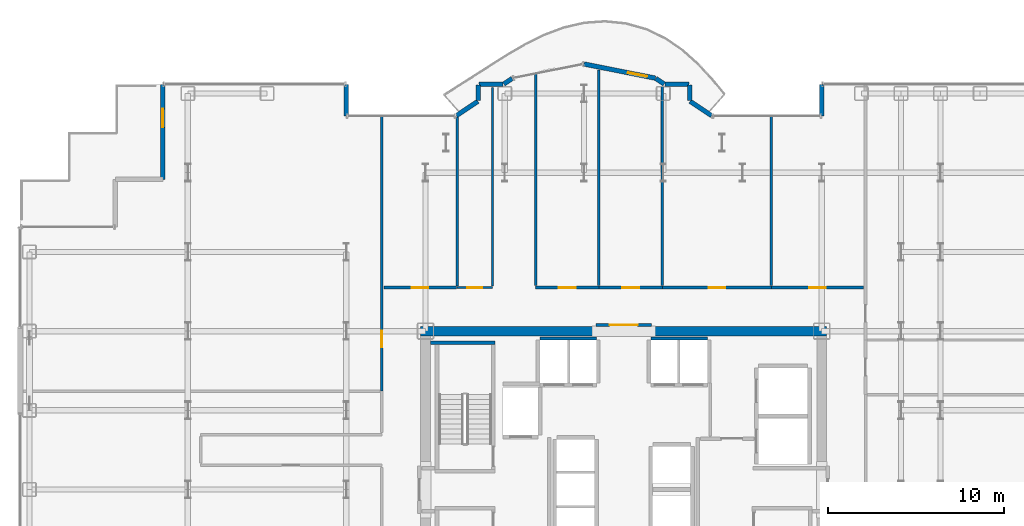
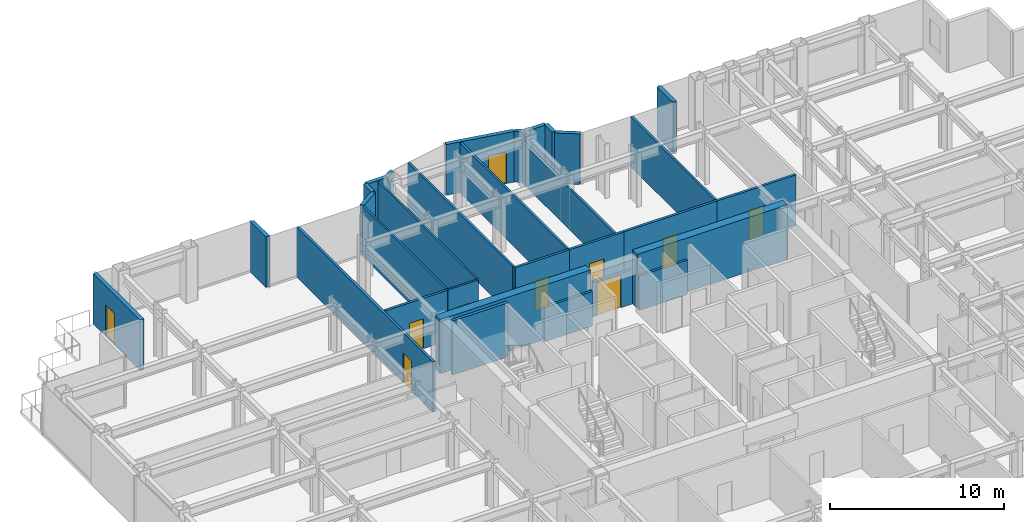
# One storey, part 26 of 29: 31 walls, 10 doors, 10 openings.
"""IFC4 building model written with IfcOpenShell, lengths in metres."""

from ifc_helpers import new_model, si_unit, direction, frame, frame_2d, origin, place, context, subcontext, project, spatial, rectangle, extrude, source, transform, mapped, material, layer, layer_set, type_object, element, fill, save


model = new_model("IFC4")

# Units and contexts
model_context = context("Model", 3, precision=1e-05, world=origin(), true_north=direction((0.0, 1.0)))
body_context = subcontext(model_context, "Body", "Model", "MODEL_VIEW")
ifc_project = project(units=[si_unit("LENGTHUNIT", "METRE"), si_unit("AREAUNIT", "SQUARE_METRE"), si_unit("VOLUMEUNIT", "CUBIC_METRE"), si_unit("PLANEANGLEUNIT", "RADIAN"), si_unit("MASSUNIT", "GRAM", prefix="KILO")], contexts=[model_context])

# Site, building, storey
site_placement = place(None, origin())
site = spatial("IfcSite", under=ifc_project, at=site_placement, CompositionType="ELEMENT")
building_placement = place(site_placement, origin())
building = spatial("IfcBuilding", under=site, at=building_placement, Name="Nefas-Gora Pilgrimage Tower", CompositionType="ELEMENT")
storey_placement = place(building_placement, frame((0.0, 0.0, 125.0)))
storey = spatial("IfcBuildingStorey", under=building, at=storey_placement, Name="L30", CompositionType="ELEMENT", Elevation=125.0)

# Walls
ifc_material_1 = material(Name="Concrete C60/75", Category="concrete")
ifc_layer_1 = layer(ifc_material_1, 0.550048828125)
ifc_layer_set_1 = layer_set([ifc_layer_1], Name="Concrete C60/75")
wall_type_1 = type_object("IfcWallType", Name="SW-CORE-550", PredefinedType="SHEAR", material=ifc_layer_set_1)
shared_shape_1 = source(origin(), body_context, "Body", "SweptSolid", [
    extrude(rectangle(XDim=9.974853515625, YDim=0.550048828125, at=frame_2d((4.9873046875, 0.0))), origin(), (0.0, 0.0, 1.0), 3.800048828125),
])
for number, where, z_axis, x_axis, name in (
    (1, (-11.52490234375, 9.0, 0.0), (0.0, 0.0, 1.0), (1.0, 0.0, 0.0), "L30 Core Shear Wall N-West"),
    (2, (1.550048828125, 9.0, 0.0), (0.0, 0.0, 1.0), (1.0, 0.0, 0.0), "L30 Core Shear Wall N-East"),
):
    element("IfcWall", number, at=place(storey_placement, frame(where, z_axis=z_axis, x_axis=x_axis)), inside=storey, type_object=wall_type_1, Name=name, PredefinedType="SHEAR", context=body_context, shape_type="MappedRepresentation", body=[
        mapped(shared_shape_1, transform((0.0, 0.0, 0.0), x_axis=(1.0, 0.0, 0.0), y_axis=(0.0, 1.0, 0.0), z_axis=(0.0, 0.0, 1.0), scale=1.0)),
    ])
ifc_material_2 = material(Name="Precast concrete C40/50", Category="concrete")
ifc_layer_2 = layer(ifc_material_2, 0.260009765625)
ifc_layer_set_2 = layer_set([ifc_layer_2], Name="Precast concrete C40/50")
wall_type_2 = type_object("IfcWallType", Name="EW-PORTAL-260", PredefinedType="SOLIDWALL", material=ifc_layer_set_2)
shared_shape_2 = source(origin(), body_context, "Body", "SweptSolid", [
    extrude(rectangle(XDim=1.800048828125, YDim=0.260009765625, at=frame_2d((0.89990234375, 0.0))), origin(), (0.0, 0.0, 1.0), 3.550048828125),
])
for number, where, z_axis, x_axis, name in (
    (3, (11.25, 23.02001953125, 0.0), (0.0, 0.0, 1.0), (0.0, -1.0, 0.0), "L30 Lobe Shoulder Precast Spandrel Pier 14"),
    (4, (-15.75, 21.219970703125, 0.0), (0.0, 0.0, 1.0), (0.0, 1.0, 0.0), "L30 Lobe Shoulder Precast Spandrel Pier 24"),
):
    element("IfcWall", number, at=place(storey_placement, frame(where, z_axis=z_axis, x_axis=x_axis)), inside=storey, type_object=wall_type_2, Name=name, PredefinedType="SOLIDWALL", context=body_context, shape_type="MappedRepresentation", body=[
        mapped(shared_shape_2, transform((0.0, 0.0, 0.0), x_axis=(1.0, 0.0, 0.0), y_axis=(0.0, 1.0, 0.0), z_axis=(0.0, 0.0, 1.0), scale=1.0)),
    ])
shared_shape_3 = source(origin(), body_context, "Body", "SweptSolid", [
    extrude(rectangle(XDim=1.468994140625, YDim=0.260009765625, at=frame_2d((0.734375, 0.0))), origin(), (0.0, 0.0, 1.0), 3.550048828125),
])
for number, where, z_axis, x_axis, name in (
    (5, (4.99462890625, 21.235595703125, 0.0), (0.0, 0.0, 1.0), (-0.831461760506, 0.555581983884, 0.0), "L30 Lobe Shoulder Precast Spandrel Pier 15"),
    (6, (-8.273193359375, 22.0517578125, 0.0), (0.0, 0.0, 1.0), (-0.831461760506, -0.555581983884, 0.0), "L30 Lobe Shoulder Precast Spandrel Pier 23"),
):
    element("IfcWall", number, at=place(storey_placement, frame(where, z_axis=z_axis, x_axis=x_axis)), inside=storey, type_object=wall_type_2, Name=name, PredefinedType="SOLIDWALL", context=body_context, shape_type="MappedRepresentation", body=[
        mapped(shared_shape_3, transform((0.0, 0.0, 0.0), x_axis=(1.0, 0.0, 0.0), y_axis=(0.0, 1.0, 0.0), z_axis=(0.0, 0.0, 1.0), scale=1.0)),
    ])
shared_shape_4 = source(origin(), body_context, "Body", "SweptSolid", [
    extrude(rectangle(XDim=0.896728515625, YDim=0.260009765625, at=frame_2d((0.4482421875, 0.0))), origin(), (0.0, 0.0, 1.0), 3.550048828125),
])
for number, where, z_axis, x_axis, name in (
    (7, (3.75, 22.09521484375, 0.0), (0.0, 0.0, 1.0), (0.0, 1.0, 0.0), "L30 Lobe Shoulder Precast Spandrel Pier 16"),
    (8, (-8.25, 22.991943359375, 0.0), (0.0, 0.0, 1.0), (0.0, -1.0, 0.0), "L30 Lobe Shoulder Precast Spandrel Pier 22"),
):
    element("IfcWall", number, at=place(storey_placement, frame(where, z_axis=z_axis, x_axis=x_axis)), inside=storey, type_object=wall_type_2, Name=name, PredefinedType="SOLIDWALL", context=body_context, shape_type="MappedRepresentation", body=[
        mapped(shared_shape_4, transform((0.0, 0.0, 0.0), x_axis=(1.0, 0.0, 0.0), y_axis=(0.0, 1.0, 0.0), z_axis=(0.0, 0.0, 1.0), scale=1.0)),
    ])
shared_shape_5 = source(origin(), body_context, "Body", "SweptSolid", [
    extrude(rectangle(XDim=1.369873046875, YDim=0.260009765625, at=frame_2d((0.68505859375, 0.0))), origin(), (0.0, 0.0, 1.0), 3.550048828125),
])
for number, where, z_axis, x_axis, name in (
    (9, (3.721923828125, 23.02001953125, 0.0), (0.0, 0.0, 1.0), (-1.0, 0.0, 0.0), "L30 Lobe Shoulder Precast Spandrel Pier 17"),
    (10, (-6.85205078125, 23.02001953125, 0.0), (0.0, 0.0, 1.0), (-1.0, 0.0, 0.0), "L30 Lobe Shoulder Precast Spandrel Pier 21"),
):
    element("IfcWall", number, at=place(storey_placement, frame(where, z_axis=z_axis, x_axis=x_axis)), inside=storey, type_object=wall_type_2, Name=name, PredefinedType="SOLIDWALL", context=body_context, shape_type="MappedRepresentation", body=[
        mapped(shared_shape_5, transform((0.0, 0.0, 0.0), x_axis=(1.0, 0.0, 0.0), y_axis=(0.0, 1.0, 0.0), z_axis=(0.0, 0.0, 1.0), scale=1.0)),
    ])
shared_shape_6 = source(origin(), body_context, "Body", "SweptSolid", [
    extrude(rectangle(XDim=0.5654296875, YDim=0.260009765625, at=frame_2d((0.28271484375, 0.0))), origin(), (0.0, 0.0, 1.0), 3.550048828125),
])
for number, where, z_axis, x_axis, name in (
    (11, (2.30078125, 23.03564453125, 0.0), (0.0, 0.0, 1.0), (-0.831651492666, 0.555297933317, 0.0), "L30 Lobe Shoulder Precast Spandrel Pier 18"),
    (12, (-6.33056640625, 23.349609375, 0.0), (0.0, 0.0, 1.0), (-0.831651492666, -0.555297933317, 0.0), "L30 Lobe Shoulder Precast Spandrel Pier 20"),
):
    element("IfcWall", number, at=place(storey_placement, frame(where, z_axis=z_axis, x_axis=x_axis)), inside=storey, type_object=wall_type_2, Name=name, PredefinedType="SOLIDWALL", context=body_context, shape_type="MappedRepresentation", body=[
        mapped(shared_shape_6, transform((0.0, 0.0, 0.0), x_axis=(1.0, 0.0, 0.0), y_axis=(0.0, 1.0, 0.0), z_axis=(0.0, 0.0, 1.0), scale=1.0)),
    ])

# Wall, opening, door
shared_shape_7 = source(origin(), body_context, "Body", "SweptSolid", [
    extrude(rectangle(XDim=4.136962890625, YDim=0.260009765625, at=frame_2d((2.068359375, 0.0))), origin(), (0.0, 0.0, 1.0), 3.550048828125),
])
wall_1_placement = place(storey_placement, frame((1.807373046875, 23.365234375, 0.0), z_axis=(0.0, 0.0, 1.0), x_axis=(-0.980782170794, 0.195105954428, 0.0)))
wall_1 = element("IfcWall", 13, at=wall_1_placement, inside=storey, type_object=wall_type_2, Name="L30 Insulated Terrace Portal Wall 19", PredefinedType="SOLIDWALL", context=body_context, shape_type="MappedRepresentation", body=[
    mapped(shared_shape_7, transform((0.0, 0.0, 0.0), x_axis=(1.0, 0.0, 0.0), y_axis=(0.0, 1.0, 0.0), z_axis=(0.0, 0.0, 1.0), scale=1.0)),
])
opening_1_placement = place(wall_1_placement, frame((0.48779296875, 0.0, 0.0)))
opening_1 = element("IfcOpeningElement", 14, at=opening_1_placement, cuts=wall_1, Name="Opening ED-B1", PredefinedType="OPENING", context=body_context, shape_type="SweptSolid", body=[
    extrude(rectangle(XDim=1.10009765625, YDim=2.199951171875, at=frame_2d((0.550048828125, 1.10009765625))), frame((0.0, 0.139892578125, 0.0), z_axis=(0.0, -1.0, 0.0), x_axis=(1.0, 0.0, 0.0)), (0.0, 0.0, 1.0), 0.280029296875),
])
ifc_material_3 = material(Name="Thermally broken glazed aluminium balcony door", Category="aluminium")
door_type_1 = type_object("IfcDoorType", Name="DR-EXT-BAL-1100", OperationType="NOTDEFINED", PredefinedType="DOOR", material=ifc_material_3)
shared_shape_8 = source(origin(), body_context, "Body", "SweptSolid", [
    extrude(rectangle(XDim=1.10009765625, YDim=2.199951171875, at=frame_2d((0.550048828125, 1.10009765625))), frame((0.0, 0.02490234375, 0.0), z_axis=(0.0, -1.0, 0.0), x_axis=(1.0, 0.0, 0.0)), (0.0, 0.0, 1.0), 0.050048828125),
])
door_1_placement = place(opening_1_placement, origin())
door_1 = element("IfcDoor", 15, at=door_1_placement, inside=storey, type_object=door_type_1, Name="L30 Exterior Door (L30 N Lobe Wave Balcony)", OperationType="SINGLE_SWING_RIGHT", OverallHeight=2.199951171875, OverallWidth=1.10009765625, PredefinedType="DOOR", context=body_context, shape_type="MappedRepresentation", body=[
    mapped(shared_shape_8, transform((0.0, 0.0, 0.0), x_axis=(1.0, 0.0, 0.0), y_axis=(0.0, 1.0, 0.0), z_axis=(0.0, 0.0, 1.0), scale=1.0)),
])
fill(opening_1, door_1)

shared_shape_9 = source(origin(), body_context, "Body", "SweptSolid", [
    extrude(rectangle(XDim=5.39990234375, YDim=0.260009765625, at=frame_2d((2.699951171875, 0.0))), origin(), (0.0, 0.0, 1.0), 3.550048828125),
])
wall_2_placement = place(storey_placement, frame((-26.169921875, 23.02001953125, 0.0), z_axis=(0.0, 0.0, 1.0), x_axis=(0.0, -1.0, 0.0)))
wall_2 = element("IfcWall", 16, at=wall_2_placement, inside=storey, type_object=wall_type_2, Name="L30 Insulated Terrace Portal Wall 25", PredefinedType="SOLIDWALL", context=body_context, shape_type="MappedRepresentation", body=[
    mapped(shared_shape_9, transform((0.0, 0.0, 0.0), x_axis=(1.0, 0.0, 0.0), y_axis=(0.0, 1.0, 0.0), z_axis=(0.0, 0.0, 1.0), scale=1.0)),
])
opening_2_placement = place(wall_2_placement, frame((1.39697265625, 0.0, 0.0)))
opening_2 = element("IfcOpeningElement", 17, at=opening_2_placement, cuts=wall_2, Name="Opening ED-T1", PredefinedType="OPENING", context=body_context, shape_type="SweptSolid", body=[
    extrude(rectangle(XDim=1.050048828125, YDim=2.199951171875, at=frame_2d((0.52490234375, 1.10009765625))), frame((0.0, 0.139892578125, 0.0), z_axis=(0.0, -1.0, 0.0), x_axis=(1.0, 0.0, 0.0)), (0.0, 0.0, 1.0), 0.280029296875),
])
ifc_material_4 = material(Name="Thermally broken glazed aluminium terrace door", Category="aluminium")
door_type_2 = type_object("IfcDoorType", Name="DR-EXT-TER-1050", OperationType="NOTDEFINED", PredefinedType="DOOR", material=ifc_material_4)
shared_shape_10 = source(origin(), body_context, "Body", "SweptSolid", [
    extrude(rectangle(XDim=1.050048828125, YDim=2.199951171875, at=frame_2d((0.52490234375, 1.10009765625))), frame((0.0, 0.02490234375, 0.0), z_axis=(0.0, -1.0, 0.0), x_axis=(1.0, 0.0, 0.0)), (0.0, 0.0, 1.0), 0.050048828125),
])
door_2_placement = place(opening_2_placement, origin())
door_2 = element("IfcDoor", 18, at=door_2_placement, inside=storey, type_object=door_type_2, Name="L30 Exterior Door (L30 Outdoor Terrace TER-SP-NW)", OperationType="SINGLE_SWING_LEFT", OverallHeight=2.199951171875, OverallWidth=1.050048828125, PredefinedType="DOOR", context=body_context, shape_type="MappedRepresentation", body=[
    mapped(shared_shape_10, transform((0.0, 0.0, 0.0), x_axis=(1.0, 0.0, 0.0), y_axis=(0.0, 1.0, 0.0), z_axis=(0.0, 0.0, 1.0), scale=1.0)),
])
fill(opening_2, door_2)

# Walls
ifc_material_5 = material(Name="Concrete C45/55", Category="concrete")
ifc_layer_3 = layer(ifc_material_5, 0.199951171875)
ifc_layer_set_3 = layer_set([ifc_layer_3], Name="Concrete C45/55")
wall_type_3 = type_object("IfcWallType", Name="IW-STAIR-200", PredefinedType="SOLIDWALL", material=ifc_layer_set_3)
shared_shape_11 = source(origin(), body_context, "Body", "SweptSolid", [
    extrude(rectangle(XDim=3.679931640625, YDim=0.199951171875, at=frame_2d((1.83984375, 0.0))), origin(), (0.0, 0.0, 1.0), 3.800048828125),
])
wall_3_placement = place(storey_placement, frame((-7.300048828125, 8.35009765625, 0.0), z_axis=(0.0, 0.0, 1.0), x_axis=(-1.0, 0.0, 0.0)))
element("IfcWall", 19, at=wall_3_placement, inside=storey, type_object=wall_type_3, Name="L30 Stairwell Shear Wall ST-01-far", PredefinedType="SOLIDWALL", context=body_context, shape_type="MappedRepresentation", body=[
    mapped(shared_shape_11, transform((0.0, 0.0, 0.0), x_axis=(1.0, 0.0, 0.0), y_axis=(0.0, 1.0, 0.0), z_axis=(0.0, 0.0, 1.0), scale=1.0)),
])
ifc_material_6 = material(Name="Gypsum acoustic stud partition")
ifc_layer_4 = layer(ifc_material_6, 0.159912109375)
ifc_layer_set_4 = layer_set([ifc_layer_4], Name="Gypsum acoustic stud partition")
wall_type_4 = type_object("IfcWallType", Name="IW-CORR-160", PredefinedType="PARTITIONING", material=ifc_layer_set_4)
shared_shape_12 = source(origin(), body_context, "Body", "SweptSolid", [
    extrude(rectangle(XDim=3.199951171875, YDim=0.159912109375, at=frame_2d((1.60009765625, 0.0))), origin(), (0.0, 0.0, 1.0), 2.425048828125),
])
for number, where, z_axis, x_axis, name in (
    (20, (-1.550048828125, 8.580078125, 0.0), (0.0, 0.0, 1.0), (-1.0, 0.0, 0.0), "L30 Hoistway Wall PL1-W-N"),
    (21, (4.75, 8.580078125, 0.0), (0.0, 0.0, 1.0), (-1.0, 0.0, 0.0), "L30 Hoistway Wall PL1-E-N"),
):
    element("IfcWall", number, at=place(storey_placement, frame(where, z_axis=z_axis, x_axis=x_axis)), inside=storey, type_object=wall_type_4, Name=name, PredefinedType="PARTITIONING", context=body_context, shape_type="MappedRepresentation", body=[
        mapped(shared_shape_12, transform((0.0, 0.0, 0.0), x_axis=(1.0, 0.0, 0.0), y_axis=(0.0, 1.0, 0.0), z_axis=(0.0, 0.0, 1.0), scale=1.0)),
    ])

# Wall, opening, door
ifc_material_7 = material(Name="Moisture-resistant fire-rated gypsum partition")
ifc_layer_5 = layer(ifc_material_7, 0.1201171875)
ifc_layer_set_5 = layer_set([ifc_layer_5], Name="Moisture-resistant fire-rated gypsum partition")
wall_type_5 = type_object("IfcWallType", Name="IW-WET-120", PredefinedType="PLUMBINGWALL", material=ifc_layer_set_5)
shared_shape_13 = source(origin(), body_context, "Body", "SweptSolid", [
    extrude(rectangle(XDim=2.02001953125, YDim=0.1201171875, at=frame_2d((1.010009765625, 0.0))), origin(), (0.0, 0.0, 1.0), 3.534912109375),
])
wall_4_placement = place(storey_placement, frame((-9.4599609375, 11.469970703125, 0.0), z_axis=(0.0, 0.0, 1.0), x_axis=(1.0, 0.0, 0.0)))
wall_4 = element("IfcWall", 22, at=wall_4_placement, inside=storey, type_object=wall_type_5, Name="L30 Accessible Unisex WC Partition Wall 25", PredefinedType="PLUMBINGWALL", context=body_context, shape_type="MappedRepresentation", body=[
    mapped(shared_shape_13, transform((0.0, 0.0, 0.0), x_axis=(1.0, 0.0, 0.0), y_axis=(0.0, 1.0, 0.0), z_axis=(0.0, 0.0, 1.0), scale=1.0)),
])
opening_3_placement = place(wall_4_placement, frame((0.5849609375, 0.0, 0.0)))
opening_3 = element("IfcOpeningElement", 23, at=opening_3_placement, cuts=wall_4, Name="Opening ID-BT1", PredefinedType="OPENING", context=body_context, shape_type="SweptSolid", body=[
    extrude(rectangle(XDim=0.85009765625, YDim=2.10009765625, at=frame_2d((0.425048828125, 1.050048828125))), frame((0.0, 0.070068359375, 0.0), z_axis=(0.0, -1.0, 0.0), x_axis=(1.0, 0.0, 0.0)), (0.0, 0.0, 1.0), 0.14013671875),
])
ifc_material_8 = material(Name="Moisture-resistant fire-rated timber door", Category="wood")
door_type_3 = type_object("IfcDoorType", Name="DR-INT-BATH-850", OperationType="NOTDEFINED", PredefinedType="DOOR", material=ifc_material_8)
shared_shape_14 = source(origin(), body_context, "Body", "SweptSolid", [
    extrude(rectangle(XDim=0.85009765625, YDim=2.10009765625, at=frame_2d((0.425048828125, 1.050048828125))), frame((0.0, 0.02490234375, 0.0), z_axis=(0.0, -1.0, 0.0), x_axis=(1.0, 0.0, 0.0)), (0.0, 0.0, 1.0), 0.050048828125),
])
door_3_placement = place(opening_3_placement, origin())
door_3 = element("IfcDoor", 24, at=door_3_placement, inside=storey, type_object=door_type_3, Name="L30 Accessible Unisex WC Door 10", OperationType="SINGLE_SWING_LEFT", OverallHeight=2.10009765625, OverallWidth=0.85009765625, PredefinedType="DOOR", context=body_context, shape_type="MappedRepresentation", body=[
    mapped(shared_shape_14, transform((0.0, 0.0, 0.0), x_axis=(1.0, 0.0, 0.0), y_axis=(0.0, 1.0, 0.0), z_axis=(0.0, 0.0, 1.0), scale=1.0)),
])
fill(opening_3, door_3)

# Walls
shared_shape_15 = source(origin(), body_context, "Body", "SweptSolid", [
    extrude(rectangle(XDim=11.280029296875, YDim=0.1201171875, at=frame_2d((5.64013671875, 0.0))), origin(), (0.0, 0.0, 1.0), 3.534912109375),
])
wall_5_placement = place(storey_placement, frame((-7.449951171875, 11.570068359375, 0.0), z_axis=(0.0, 0.0, 1.0), x_axis=(0.0, 1.0, 0.0)))
element("IfcWall", 25, at=wall_5_placement, inside=storey, type_object=wall_type_5, Name="L30 Accessible Unisex WC Partition Wall 26", PredefinedType="PLUMBINGWALL", context=body_context, shape_type="MappedRepresentation", body=[
    mapped(shared_shape_15, transform((0.0, 0.0, 0.0), x_axis=(1.0, 0.0, 0.0), y_axis=(0.0, 1.0, 0.0), z_axis=(0.0, 0.0, 1.0), scale=1.0)),
])
shared_shape_16 = source(origin(), body_context, "Body", "SweptSolid", [
    extrude(rectangle(XDim=9.586669921875, YDim=0.1201171875, at=frame_2d((4.79345703125, 0.0))), origin(), (0.0, 0.0, 1.0), 3.534912109375),
])
wall_6_placement = place(storey_placement, frame((-9.449951171875, 11.570068359375, 0.0), z_axis=(0.0, 0.0, 1.0), x_axis=(0.0, 1.0, 0.0)))
element("IfcWall", 26, at=wall_6_placement, inside=storey, type_object=wall_type_5, Name="L30 Accessible Unisex WC Partition Wall 27", PredefinedType="PLUMBINGWALL", context=body_context, shape_type="MappedRepresentation", body=[
    mapped(shared_shape_16, transform((0.0, 0.0, 0.0), x_axis=(1.0, 0.0, 0.0), y_axis=(0.0, 1.0, 0.0), z_axis=(0.0, 0.0, 1.0), scale=1.0)),
])

# Wall, opening, door
shared_shape_17 = source(origin(), body_context, "Body", "SweptSolid", [
    extrude(rectangle(XDim=4.125, YDim=0.159912109375, at=frame_2d((2.0625, 0.0))), origin(), (0.0, 0.0, 1.0), 3.534912109375),
])
wall_7_placement = place(storey_placement, frame((-13.6201171875, 11.469970703125, 0.0), z_axis=(0.0, 0.0, 1.0), x_axis=(1.0, 0.0, 0.0)))
wall_7 = element("IfcWall", 27, at=wall_7_placement, inside=storey, type_object=wall_type_4, Name="L30 Pilgrim Contemplative Lounge Partition Wall 48", PredefinedType="PARTITIONING", context=body_context, shape_type="MappedRepresentation", body=[
    mapped(shared_shape_17, transform((0.0, 0.0, 0.0), x_axis=(1.0, 0.0, 0.0), y_axis=(0.0, 1.0, 0.0), z_axis=(0.0, 0.0, 1.0), scale=1.0)),
])
opening_4_placement = place(wall_7_placement, frame((1.58740234375, 0.0, 0.0)))
opening_4 = element("IfcOpeningElement", 28, at=opening_4_placement, cuts=wall_7, Name="Opening ID-GR1", PredefinedType="OPENING", context=body_context, shape_type="SweptSolid", body=[
    extrude(rectangle(XDim=0.949951171875, YDim=2.10009765625, at=frame_2d((0.47509765625, 1.050048828125))), frame((0.0, 0.08984375, 0.0), z_axis=(0.0, -1.0, 0.0), x_axis=(1.0, 0.0, 0.0)), (0.0, 0.0, 1.0), 0.179931640625),
])
ifc_material_9 = material(Name="Solid core oak fire-rated guest entrance door")
door_type_4 = type_object("IfcDoorType", Name="DR-INT-GUEST-950", OperationType="NOTDEFINED", PredefinedType="DOOR", material=ifc_material_9)
shared_shape_18 = source(origin(), body_context, "Body", "SweptSolid", [
    extrude(rectangle(XDim=0.949951171875, YDim=2.10009765625, at=frame_2d((0.47509765625, 1.050048828125))), frame((0.0, 0.02490234375, 0.0), z_axis=(0.0, -1.0, 0.0), x_axis=(1.0, 0.0, 0.0)), (0.0, 0.0, 1.0), 0.050048828125),
])
door_4_placement = place(opening_4_placement, origin())
door_4 = element("IfcDoor", 29, at=door_4_placement, inside=storey, type_object=door_type_4, Name="L30 Pilgrim Contemplative Lounge Door 20", OperationType="SINGLE_SWING_LEFT", OverallHeight=2.10009765625, OverallWidth=0.949951171875, PredefinedType="DOOR", context=body_context, shape_type="MappedRepresentation", body=[
    mapped(shared_shape_18, transform((0.0, 0.0, 0.0), x_axis=(1.0, 0.0, 0.0), y_axis=(0.0, 1.0, 0.0), z_axis=(0.0, 0.0, 1.0), scale=1.0)),
])
fill(opening_4, door_4)

# Walls
ifc_material_10 = material(Name="Gypsum twin-stud partition")
ifc_layer_6 = layer(ifc_material_10, 0.139892578125)
ifc_layer_set_6 = layer_set([ifc_layer_6], Name="Gypsum twin-stud partition")
wall_type_6 = type_object("IfcWallType", Name="IW-UNIT-140", PredefinedType="PARTITIONING", material=ifc_layer_set_6)
shared_shape_19 = source(origin(), body_context, "Body", "SweptSolid", [
    extrude(rectangle(XDim=12.056640625, YDim=0.139892578125, at=frame_2d((6.0283203125, 0.0))), origin(), (0.0, 0.0, 1.0), 3.534912109375),
])
wall_8_placement = place(storey_placement, frame((-4.9951171875, 11.590087890625, 0.0), z_axis=(0.0, 0.0, 1.0), x_axis=(0.0, 1.0, 0.0)))
element("IfcWall", 30, at=wall_8_placement, inside=storey, type_object=wall_type_6, Name="L30 Pilgrim Contemplative Lounge Partition Wall 51", PredefinedType="PARTITIONING", context=body_context, shape_type="MappedRepresentation", body=[
    mapped(shared_shape_19, transform((0.0, 0.0, 0.0), x_axis=(1.0, 0.0, 0.0), y_axis=(0.0, 1.0, 0.0), z_axis=(0.0, 0.0, 1.0), scale=1.0)),
])
shared_shape_20 = source(origin(), body_context, "Body", "SweptSolid", [
    extrude(rectangle(XDim=9.64990234375, YDim=0.139892578125, at=frame_2d((4.824951171875, 0.0))), origin(), (0.0, 0.0, 1.0), 3.534912109375),
])
wall_9_placement = place(storey_placement, frame((8.39501953125, 11.590087890625, 0.0), z_axis=(0.0, 0.0, 1.0), x_axis=(0.0, 1.0, 0.0)))
element("IfcWall", 31, at=wall_9_placement, inside=storey, type_object=wall_type_6, Name="L30 Pilgrim Contemplative Lounge Partition Wall 55", PredefinedType="PARTITIONING", context=body_context, shape_type="MappedRepresentation", body=[
    mapped(shared_shape_20, transform((0.0, 0.0, 0.0), x_axis=(1.0, 0.0, 0.0), y_axis=(0.0, 1.0, 0.0), z_axis=(0.0, 0.0, 1.0), scale=1.0)),
])

# Wall, opening, door
shared_shape_21 = source(origin(), body_context, "Body", "SweptSolid", [
    extrude(rectangle(XDim=3.60498046875, YDim=0.159912109375, at=frame_2d((1.802490234375, 0.0))), origin(), (0.0, 0.0, 1.0), 3.534912109375),
])
wall_10_placement = place(storey_placement, frame((-5.0048828125, 11.469970703125, 0.0), z_axis=(0.0, 0.0, 1.0), x_axis=(1.0, 0.0, 0.0)))
wall_10 = element("IfcWall", 32, at=wall_10_placement, inside=storey, type_object=wall_type_4, Name="L30 Pilgrim Contemplative Lounge Partition Wall 49", PredefinedType="PARTITIONING", context=body_context, shape_type="MappedRepresentation", body=[
    mapped(shared_shape_21, transform((0.0, 0.0, 0.0), x_axis=(1.0, 0.0, 0.0), y_axis=(0.0, 1.0, 0.0), z_axis=(0.0, 0.0, 1.0), scale=1.0)),
])
opening_5_placement = place(wall_10_placement, frame((1.327392578125, 0.0, 0.0)))
opening_5 = element("IfcOpeningElement", 33, at=opening_5_placement, cuts=wall_10, Name="Opening ID-GR1", PredefinedType="OPENING", context=body_context, shape_type="SweptSolid", body=[
    extrude(rectangle(XDim=0.949951171875, YDim=2.10009765625, at=frame_2d((0.47509765625, 1.050048828125))), frame((0.0, 0.08984375, 0.0), z_axis=(0.0, -1.0, 0.0), x_axis=(1.0, 0.0, 0.0)), (0.0, 0.0, 1.0), 0.179931640625),
])
door_5_placement = place(opening_5_placement, origin())
door_5 = element("IfcDoor", 34, at=door_5_placement, inside=storey, type_object=door_type_4, Name="L30 Pilgrim Contemplative Lounge Door 21", OperationType="SINGLE_SWING_RIGHT", OverallHeight=2.10009765625, OverallWidth=0.949951171875, PredefinedType="DOOR", context=body_context, shape_type="MappedRepresentation", body=[
    mapped(shared_shape_18, transform((0.0, 0.0, 0.0), x_axis=(1.0, 0.0, 0.0), y_axis=(0.0, 1.0, 0.0), z_axis=(0.0, 0.0, 1.0), scale=1.0)),
])
fill(opening_5, door_5)

wall_11_placement = place(storey_placement, frame((-1.39990234375, 11.469970703125, 0.0), z_axis=(0.0, 0.0, 1.0), x_axis=(1.0, 0.0, 0.0)))
wall_11 = element("IfcWall", 35, at=wall_11_placement, inside=storey, type_object=wall_type_4, Name="L30 Pilgrim Contemplative Lounge Partition Wall 52", PredefinedType="PARTITIONING", context=body_context, shape_type="MappedRepresentation", body=[
    mapped(shared_shape_21, transform((0.0, 0.0, 0.0), x_axis=(1.0, 0.0, 0.0), y_axis=(0.0, 1.0, 0.0), z_axis=(0.0, 0.0, 1.0), scale=1.0)),
])
opening_6_placement = place(wall_11_placement, frame((1.327392578125, 0.0, 0.0)))
opening_6 = element("IfcOpeningElement", 36, at=opening_6_placement, cuts=wall_11, Name="Opening ID-GR1", PredefinedType="OPENING", context=body_context, shape_type="SweptSolid", body=[
    extrude(rectangle(XDim=0.949951171875, YDim=2.10009765625, at=frame_2d((0.47509765625, 1.050048828125))), frame((0.0, 0.08984375, 0.0), z_axis=(0.0, -1.0, 0.0), x_axis=(1.0, 0.0, 0.0)), (0.0, 0.0, 1.0), 0.179931640625),
])
door_6_placement = place(opening_6_placement, origin())
door_6 = element("IfcDoor", 37, at=door_6_placement, inside=storey, type_object=door_type_4, Name="L30 Pilgrim Contemplative Lounge Door 22", OperationType="SINGLE_SWING_LEFT", OverallHeight=2.10009765625, OverallWidth=0.949951171875, PredefinedType="DOOR", context=body_context, shape_type="MappedRepresentation", body=[
    mapped(shared_shape_18, transform((0.0, 0.0, 0.0), x_axis=(1.0, 0.0, 0.0), y_axis=(0.0, 1.0, 0.0), z_axis=(0.0, 0.0, 1.0), scale=1.0)),
])
fill(opening_6, door_6)

shared_shape_22 = source(origin(), body_context, "Body", "SweptSolid", [
    extrude(rectangle(XDim=5.22509765625, YDim=0.159912109375, at=frame_2d((2.612548828125, 0.0))), origin(), (0.0, 0.0, 1.0), 3.534912109375),
])
wall_12_placement = place(storey_placement, frame((8.39501953125, 11.469970703125, 0.0), z_axis=(0.0, 0.0, 1.0), x_axis=(1.0, 0.0, 0.0)))
wall_12 = element("IfcWall", 38, at=wall_12_placement, inside=storey, type_object=wall_type_4, Name="L30 Pilgrim Contemplative Lounge Partition Wall 56", PredefinedType="PARTITIONING", context=body_context, shape_type="MappedRepresentation", body=[
    mapped(shared_shape_22, transform((0.0, 0.0, 0.0), x_axis=(1.0, 0.0, 0.0), y_axis=(0.0, 1.0, 0.0), z_axis=(0.0, 0.0, 1.0), scale=1.0)),
])
opening_7_placement = place(wall_12_placement, frame((2.137451171875, 0.0, 0.0)))
opening_7 = element("IfcOpeningElement", 39, at=opening_7_placement, cuts=wall_12, Name="Opening ID-GR1", PredefinedType="OPENING", context=body_context, shape_type="SweptSolid", body=[
    extrude(rectangle(XDim=0.949951171875, YDim=2.10009765625, at=frame_2d((0.47509765625, 1.050048828125))), frame((0.0, 0.08984375, 0.0), z_axis=(0.0, -1.0, 0.0), x_axis=(1.0, 0.0, 0.0)), (0.0, 0.0, 1.0), 0.179931640625),
])
door_7_placement = place(opening_7_placement, origin())
door_7 = element("IfcDoor", 40, at=door_7_placement, inside=storey, type_object=door_type_4, Name="L30 Pilgrim Contemplative Lounge Door 24", OperationType="SINGLE_SWING_LEFT", OverallHeight=2.10009765625, OverallWidth=0.949951171875, PredefinedType="DOOR", context=body_context, shape_type="MappedRepresentation", body=[
    mapped(shared_shape_18, transform((0.0, 0.0, 0.0), x_axis=(1.0, 0.0, 0.0), y_axis=(0.0, 1.0, 0.0), z_axis=(0.0, 0.0, 1.0), scale=1.0)),
])
fill(opening_7, door_7)

shared_shape_23 = source(origin(), body_context, "Body", "SweptSolid", [
    extrude(rectangle(XDim=3.16015625, YDim=0.159912109375, at=frame_2d((1.580078125, 0.0))), origin(), (0.0, 0.0, 1.0), 2.425048828125),
])
wall_13_placement = place(storey_placement, frame((-1.580078125, 9.35009765625, 0.0), z_axis=(0.0, 0.0, 1.0), x_axis=(1.0, 0.0, 0.0)))
wall_13 = element("IfcWall", 41, at=wall_13_placement, inside=storey, type_object=wall_type_4, Name="L30 Central Lift Lobby North Portal Wall 13", PredefinedType="PARTITIONING", context=body_context, shape_type="MappedRepresentation", body=[
    mapped(shared_shape_23, transform((0.0, 0.0, 0.0), x_axis=(1.0, 0.0, 0.0), y_axis=(0.0, 1.0, 0.0), z_axis=(0.0, 0.0, 1.0), scale=1.0)),
])
opening_8_placement = place(wall_13_placement, frame((0.780029296875, 0.0, 0.0)))
opening_8 = element("IfcOpeningElement", 42, at=opening_8_placement, cuts=wall_13, Name="Opening ID-HL1", PredefinedType="OPENING", context=body_context, shape_type="SweptSolid", body=[
    extrude(rectangle(XDim=1.60009765625, YDim=2.300048828125, at=frame_2d((0.800048828125, 1.14990234375))), frame((0.0, 0.08984375, 0.0), z_axis=(0.0, -1.0, 0.0), x_axis=(1.0, 0.0, 0.0)), (0.0, 0.0, 1.0), 0.179931640625),
])
ifc_material_11 = material(Name="Double acoustic timber assembly hall door", Category="wood")
door_type_5 = type_object("IfcDoorType", Name="DR-INT-HALL-1600", OperationType="DOUBLE_DOOR_SINGLE_SWING", PredefinedType="DOOR", material=ifc_material_11)
shared_shape_24 = source(origin(), body_context, "Body", "SweptSolid", [
    extrude(rectangle(XDim=1.60009765625, YDim=2.300048828125, at=frame_2d((0.800048828125, 1.14990234375))), frame((0.0, 0.02490234375, 0.0), z_axis=(0.0, -1.0, 0.0), x_axis=(1.0, 0.0, 0.0)), (0.0, 0.0, 1.0), 0.050048828125),
])
door_8_placement = place(opening_8_placement, origin())
door_8 = element("IfcDoor", 43, at=door_8_placement, inside=storey, type_object=door_type_5, Name="L30 Central Lift Lobby North Portal Door 4", OperationType="DOUBLE_DOOR_SINGLE_SWING", OverallHeight=2.300048828125, OverallWidth=1.60009765625, PredefinedType="DOOR", context=body_context, shape_type="MappedRepresentation", body=[
    mapped(shared_shape_24, transform((0.0, 0.0, 0.0), x_axis=(1.0, 0.0, 0.0), y_axis=(0.0, 1.0, 0.0), z_axis=(0.0, 0.0, 1.0), scale=1.0)),
])
fill(opening_8, door_8)

# Wall
shared_shape_25 = source(origin(), body_context, "Body", "SweptSolid", [
    extrude(rectangle(XDim=11.314208984375, YDim=0.139892578125, at=frame_2d((5.6572265625, 0.0))), origin(), (0.0, 0.0, 1.0), 2.875),
])
wall_14_placement = place(storey_placement, frame((2.195068359375, 11.590087890625, 0.0), z_axis=(0.0, 0.0, 1.0), x_axis=(0.0, 1.0, 0.0)))
element("IfcWall", 44, at=wall_14_placement, inside=storey, type_object=wall_type_6, Name="L30 Pilgrim Contemplative Lounge Partition Wall 53", PredefinedType="PARTITIONING", context=body_context, shape_type="MappedRepresentation", body=[
    mapped(shared_shape_25, transform((0.0, 0.0, 0.0), x_axis=(1.0, 0.0, 0.0), y_axis=(0.0, 1.0, 0.0), z_axis=(0.0, 0.0, 1.0), scale=1.0)),
])

# Wall, opening, door
shared_shape_26 = source(origin(), body_context, "Body", "SweptSolid", [
    extrude(rectangle(XDim=6.2099609375, YDim=0.159912109375, at=frame_2d((3.10498046875, 0.0))), origin(), (0.0, 0.0, 1.0), 3.534912109375),
])
wall_15_placement = place(storey_placement, frame((2.195068359375, 11.469970703125, 0.0), z_axis=(0.0, 0.0, 1.0), x_axis=(1.0, 0.0, 0.0)))
wall_15 = element("IfcWall", 45, at=wall_15_placement, inside=storey, type_object=wall_type_4, Name="L30 Pilgrim Contemplative Lounge Partition Wall 54", PredefinedType="PARTITIONING", context=body_context, shape_type="MappedRepresentation", body=[
    mapped(shared_shape_26, transform((0.0, 0.0, 0.0), x_axis=(1.0, 0.0, 0.0), y_axis=(0.0, 1.0, 0.0), z_axis=(0.0, 0.0, 1.0), scale=1.0)),
])
opening_9_placement = place(wall_15_placement, frame((2.6298828125, 0.0, 0.0)))
opening_9 = element("IfcOpeningElement", 46, at=opening_9_placement, cuts=wall_15, Name="Opening ID-GR1", PredefinedType="OPENING", context=body_context, shape_type="SweptSolid", body=[
    extrude(rectangle(XDim=0.949951171875, YDim=2.10009765625, at=frame_2d((0.47509765625, 1.050048828125))), frame((0.0, 0.08984375, 0.0), z_axis=(0.0, -1.0, 0.0), x_axis=(1.0, 0.0, 0.0)), (0.0, 0.0, 1.0), 0.179931640625),
])
door_9_placement = place(opening_9_placement, origin())
door_9 = element("IfcDoor", 47, at=door_9_placement, inside=storey, type_object=door_type_4, Name="L30 Pilgrim Contemplative Lounge Door 23", OperationType="SINGLE_SWING_RIGHT", OverallHeight=2.10009765625, OverallWidth=0.949951171875, PredefinedType="DOOR", context=body_context, shape_type="MappedRepresentation", body=[
    mapped(shared_shape_18, transform((0.0, 0.0, 0.0), x_axis=(1.0, 0.0, 0.0), y_axis=(0.0, 1.0, 0.0), z_axis=(0.0, 0.0, 1.0), scale=1.0)),
])
fill(opening_9, door_9)

shared_shape_27 = source(origin(), body_context, "Body", "SweptSolid", [
    extrude(rectangle(XDim=15.64501953125, YDim=0.159912109375, at=frame_2d((7.822509765625, 0.0))), origin(), (0.0, 0.0, 1.0), 3.534912109375),
])
wall_16_placement = place(storey_placement, frame((-13.739990234375, 5.594970703125, 0.0), z_axis=(0.0, 0.0, 1.0), x_axis=(0.0, 1.0, 0.0)))
wall_16 = element("IfcWall", 48, at=wall_16_placement, inside=storey, type_object=wall_type_4, Name="L30 Pilgrim Floor Concierge Foyer Partition Wall 36", PredefinedType="PARTITIONING", context=body_context, shape_type="MappedRepresentation", body=[
    mapped(shared_shape_27, transform((0.0, 0.0, 0.0), x_axis=(1.0, 0.0, 0.0), y_axis=(0.0, 1.0, 0.0), z_axis=(0.0, 0.0, 1.0), scale=1.0)),
])
opening_10_placement = place(wall_16_placement, frame((2.482421875, 0.0, 0.0)))
opening_10 = element("IfcOpeningElement", 49, at=opening_10_placement, cuts=wall_16, Name="Opening ID-GR1", PredefinedType="OPENING", context=body_context, shape_type="SweptSolid", body=[
    extrude(rectangle(XDim=0.949951171875, YDim=2.10009765625, at=frame_2d((0.47509765625, 1.050048828125))), frame((0.0, 0.08984375, 0.0), z_axis=(0.0, -1.0, 0.0), x_axis=(1.0, 0.0, 0.0)), (0.0, 0.0, 1.0), 0.179931640625),
])
door_10_placement = place(opening_10_placement, origin())
door_10 = element("IfcDoor", 50, at=door_10_placement, inside=storey, type_object=door_type_4, Name="L30 Pilgrim Floor Concierge Foyer Door 13", OperationType="SINGLE_SWING_RIGHT", OverallHeight=2.10009765625, OverallWidth=0.949951171875, PredefinedType="DOOR", context=body_context, shape_type="MappedRepresentation", body=[
    mapped(shared_shape_18, transform((0.0, 0.0, 0.0), x_axis=(1.0, 0.0, 0.0), y_axis=(0.0, 1.0, 0.0), z_axis=(0.0, 0.0, 1.0), scale=1.0)),
])
fill(opening_10, door_10)

# Wall
shared_shape_28 = source(origin(), body_context, "Body", "SweptSolid", [
    extrude(rectangle(XDim=12.2421875, YDim=0.139892578125, at=frame_2d((6.12109375, 0.0))), origin(), (0.0, 0.0, 1.0), 3.534912109375),
])
wall_17_placement = place(storey_placement, frame((-1.409912109375, 11.590087890625, 0.0), z_axis=(0.0, 0.0, 1.0), x_axis=(0.0, 1.0, 0.0)))
element("IfcWall", 51, at=wall_17_placement, inside=storey, type_object=wall_type_6, Name="L30 Pilgrim Contemplative Lounge Partition Wall 50", PredefinedType="PARTITIONING", context=body_context, shape_type="MappedRepresentation", body=[
    mapped(shared_shape_28, transform((0.0, 0.0, 0.0), x_axis=(1.0, 0.0, 0.0), y_axis=(0.0, 1.0, 0.0), z_axis=(0.0, 0.0, 1.0), scale=1.0)),
])

save(model, "model.ifc")
